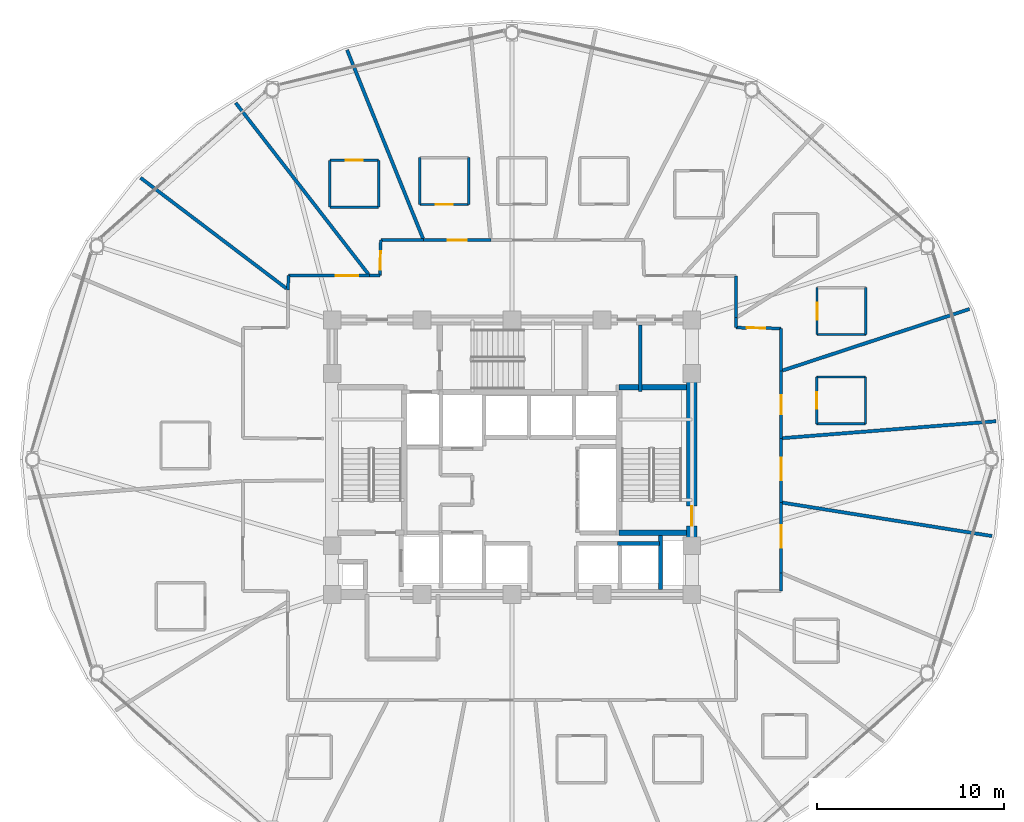
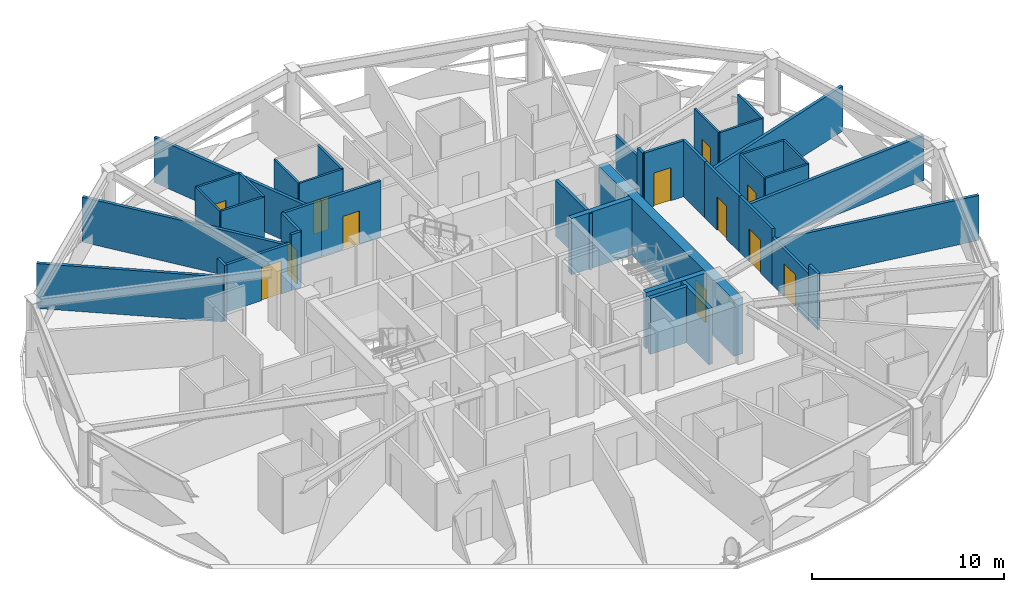
# One storey, part 27 of 32: 40 walls, 12 doors, 12 openings.
"""IFC4 building model written with IfcOpenShell, lengths in metres."""

import ifcopenshell
import ifcopenshell.guid

model = None  # the IFC model being written
_history = None  # IfcOwnerHistory: only IFC2X3 demands one
_inside = {}  # id of a spatial element -> (the spatial element, [elements in it])
_under = {}  # id of a project, library or spatial element -> (it, [spatial elements below it])
_declared = {}  # id of a project -> (the project, [libraries it declares])
_typed = {}  # id of a type object -> (the type object, [elements of that type])
_made_of = {}  # id of a material, layer set ... -> (it, [elements and type objects made of it])


def new_model(schema):
    """Start an empty IFC model of exactly this schema.

    Asked for "IFC4X3", IfcOpenShell would pick the latest addendum, in which some entities
    have other attributes; the version numbers below select the first issue.
    IFC2X3 requires an IfcOwnerHistory on every rooted entity: one is made here for all.
    """
    global model, _history
    if schema == "IFC4X3":
        model = ifcopenshell.file(schema_version=(4, 3, 0, 0))
    else:
        model = ifcopenshell.file(schema=schema)
    _inside.clear()
    _under.clear()
    _declared.clear()
    _typed.clear()
    _made_of.clear()
    _history = None
    if model.schema == "IFC2X3":
        org = make("IfcOrganization", Name="unknown")
        user = make(
            "IfcPersonAndOrganization",
            ThePerson=make("IfcPerson", FamilyName="unknown"),
            TheOrganization=org,
        )
        app = make(
            "IfcApplication",
            ApplicationDeveloper=org,
            Version="unknown",
            ApplicationFullName="unknown",
            ApplicationIdentifier="unknown",
        )
        _history = make(
            "IfcOwnerHistory",
            OwningUser=user,
            OwningApplication=app,
            ChangeAction="ADDED",
            CreationDate=0,
        )
    return model


def make(cls, **values):
    """One entity of the class cls with the attributes given. An attribute that is None is left unset."""
    return model.create_entity(
        cls, **{name: value for name, value in values.items() if value is not None}
    )


def rooted(cls, **values):
    """An entity with a GlobalId (a new one), such as an element, a storey or a relation."""
    return make(cls, GlobalId=ifcopenshell.guid.new(), OwnerHistory=_history, **values)


def si_unit(unit_type, name, prefix=None):
    """IfcSIUnit, for example si_unit("LENGTHUNIT", "METRE", prefix="MILLI")."""
    return make("IfcSIUnit", UnitType=unit_type, Prefix=prefix, Name=name)


def assignment(units):
    """IfcUnitAssignment: the units of a project."""
    return None if units is None else make("IfcUnitAssignment", Units=units)


def point(xyz):
    """IfcCartesianPoint."""
    return None if xyz is None else make("IfcCartesianPoint", Coordinates=xyz)


def direction(xyz):
    """IfcDirection."""
    return None if xyz is None else make("IfcDirection", DirectionRatios=xyz)


def frame(location, z_axis=None, x_axis=None):
    """IfcAxis2Placement3D, a coordinate frame: its origin and axes. An axis left out is left unset."""
    return make(
        "IfcAxis2Placement3D",
        Location=point(location),
        Axis=direction(z_axis),
        RefDirection=direction(x_axis),
    )


def frame_2d(location, x_axis=None):
    """IfcAxis2Placement2D, a coordinate frame in the plane: its origin and x axis."""
    return make(
        "IfcAxis2Placement2D", Location=point(location), RefDirection=direction(x_axis)
    )


def origin():
    """The frame at (0, 0, 0) with its axes left unset."""
    return frame((0.0, 0.0, 0.0))


def place(relative_to, where):
    """IfcLocalPlacement: puts the frame where relative to a parent placement (None: the world)."""
    return make(
        "IfcLocalPlacement", PlacementRelTo=relative_to, RelativePlacement=where
    )


def context(
    kind, dimensions, precision=None, world=None, true_north=None, identifier=None
):
    """IfcGeometricRepresentationContext, for example the 3D "Model" context."""
    return make(
        "IfcGeometricRepresentationContext",
        ContextIdentifier=identifier,
        ContextType=kind,
        CoordinateSpaceDimension=dimensions,
        Precision=precision,
        WorldCoordinateSystem=world,
        TrueNorth=true_north,
    )


def subcontext(parent, identifier, kind, view, scale=None):
    """IfcGeometricRepresentationSubContext, for example "Body" below "Model"."""
    return make(
        "IfcGeometricRepresentationSubContext",
        ContextIdentifier=identifier,
        ContextType=kind,
        ParentContext=parent,
        TargetScale=scale,
        TargetView=view,
    )


def project(units=None, contexts=None):
    """IfcProject with its units and contexts."""
    return rooted(
        "IfcProject",
        Name="project",
        RepresentationContexts=contexts,
        UnitsInContext=assignment(units),
    )


def spatial(cls, under=None, at=None, **own):
    """A site, building, storey or space (cls), placed at a placement, below another one or the project."""
    s = rooted(cls, ObjectPlacement=at, **own)
    if under is not None:
        _under.setdefault(under.id(), (under, []))[1].append(s)
    return s


def profile(cls, at=None, kind="AREA", **sizes):
    """A parametric profile (cls). Its sizes go by their IFC names, for example OverallWidth=200.0."""
    return make(cls, ProfileType=kind, Position=at, **sizes)


def rectangle(**sizes):
    """IfcRectangleProfileDef."""
    return profile("IfcRectangleProfileDef", **sizes)


def extrude(swept, where, along, depth):
    """IfcExtrudedAreaSolid: the profile swept, set in the frame where, extruded along a direction by depth."""
    return make(
        "IfcExtrudedAreaSolid",
        SweptArea=swept,
        Position=where,
        ExtrudedDirection=direction(along),
        Depth=depth,
    )


def shape(context_of_items, identifier, shape_type, items):
    """IfcShapeRepresentation: the items that make up one representation, for example the "Body"."""
    return make(
        "IfcShapeRepresentation",
        ContextOfItems=context_of_items,
        RepresentationIdentifier=identifier,
        RepresentationType=shape_type,
        Items=items,
    )


def material(Name=None, Category=None):
    """IfcMaterial."""
    return make("IfcMaterial", Name=Name, Category=Category)


def layer(
    of_material, thickness, ventilated=None, Name=None, Category=None, Priority=None
):
    """IfcMaterialLayer: one layer of a wall or slab, of a material (None: an air gap)."""
    return make(
        "IfcMaterialLayer",
        Material=of_material,
        LayerThickness=thickness,
        IsVentilated=ventilated,
        Name=Name,
        Category=Category,
        Priority=Priority,
    )


def layer_set(layers, Name=None):
    """IfcMaterialLayerSet."""
    return make("IfcMaterialLayerSet", MaterialLayers=layers, LayerSetName=Name)


def made_of(thing, what):
    """Note that an element or type object is made of a material, layer set ...; save() writes the relation."""
    if what is not None:
        _made_of.setdefault(what.id(), (what, []))[1].append(thing)
    return thing


def type_object(cls, material=None, **own):
    """A type object (cls), such as IfcWallType, which elements share."""
    return made_of(rooted(cls, **own), material)


def element(
    cls,
    number,
    at=None,
    inside=None,
    cuts=None,
    type_object=None,
    material=None,
    context=None,
    identifier="Body",
    shape_type=None,
    held_by="IfcProductDefinitionShape",
    body=None,
    shapes=None,
    **own,
):
    """One element of the class cls, such as IfcWall. Its Tag is "e" and its number.

    at: its placement. inside: the storey or other place that contains it. cuts: it is an
    opening in that element (IfcRelVoidsElement). A single representation is given by context,
    identifier, shape_type and body (its items); several are given by shapes. held_by: the class
    of the entity that holds the representations. save() writes the other relations.
    """
    e = rooted(cls, Tag="e%d" % number, ObjectPlacement=at, **own)
    if body is not None:
        shapes = [shape(context, identifier, shape_type, body)]
    if shapes is not None:
        e.Representation = make(held_by, Representations=shapes)
    if inside is not None:
        _inside.setdefault(inside.id(), (inside, []))[1].append(e)
    if cuts is not None:
        rooted(
            "IfcRelVoidsElement", RelatingBuildingElement=cuts, RelatedOpeningElement=e
        )
    if type_object is not None:
        _typed.setdefault(type_object.id(), (type_object, []))[1].append(e)
    return made_of(e, material)


def fill(opening, filler):
    """IfcRelFillsElement: the door or window that sits in an opening."""
    return rooted(
        "IfcRelFillsElement",
        RelatingOpeningElement=opening,
        RelatedBuildingElement=filler,
    )


def aggregate(whole, parts):
    """IfcRelAggregates: a whole, such as a stair, and the parts it consists of."""
    return rooted("IfcRelAggregates", RelatingObject=whole, RelatedObjects=parts)


def save(model, path):
    """Write the relations noted so far, then the file.

    IfcRelAggregates (storeys below a building ...), IfcRelContainedInSpatialStructure (elements
    in a storey), IfcRelDefinesByType, IfcRelAssociatesMaterial and IfcRelDeclares: one each for
    every whole, place, type object, material and project.
    """
    for whole, parts in _under.values():
        aggregate(whole, parts)
    for where, things in _inside.values():
        rooted(
            "IfcRelContainedInSpatialStructure",
            RelatedElements=things,
            RelatingStructure=where,
        )
    for kind, things in _typed.values():
        rooted("IfcRelDefinesByType", RelatedObjects=things, RelatingType=kind)
    for what, things in _made_of.values():
        rooted("IfcRelAssociatesMaterial", RelatedObjects=things, RelatingMaterial=what)
    for by, libraries in _declared.values():
        rooted("IfcRelDeclares", RelatingContext=by, RelatedDefinitions=libraries)
    model.write(path)


model = new_model("IFC4")

# Units and contexts
model_context = context("Model", 3, precision=1e-05, world=origin(), true_north=direction((0.0, 1.0)))
body_context = subcontext(model_context, "Body", "Model", "MODEL_VIEW")
ifc_project = project(units=[si_unit("LENGTHUNIT", "METRE"), si_unit("AREAUNIT", "SQUARE_METRE"), si_unit("VOLUMEUNIT", "CUBIC_METRE"), si_unit("PLANEANGLEUNIT", "RADIAN"), si_unit("MASSUNIT", "GRAM", prefix="KILO")], contexts=[model_context])

# Site, building, storey
site_placement = place(None, origin())
site = spatial("IfcSite", under=ifc_project, at=site_placement, CompositionType="ELEMENT")
building_placement = place(site_placement, origin())
building = spatial("IfcBuilding", under=site, at=building_placement, Name="Vantalir Tower", CompositionType="ELEMENT")
storey_placement = place(building_placement, frame((0.0, 0.0, 108.449951171875)))
storey = spatial("IfcBuildingStorey", under=building, at=storey_placement, Name="L26", CompositionType="ELEMENT", Elevation=108.449951171875)

# Walls
ifc_material_1 = material(Name="Moisture-resistant en-suite partition", Category="gypsum")
ifc_layer_1 = layer(ifc_material_1, 0.125)
ifc_layer_set_1 = layer_set([ifc_layer_1], Name="Moisture-resistant en-suite partition")
wall_type_1 = type_object("IfcWallType", Name="WL-BATH-125", PredefinedType="PARTITIONING", material=ifc_layer_set_1)
for number, where, z_axis, x_axis, name in (
    (1, (47.76611328125, 26.903076171875, 0.0), (0.0, 0.0, 1.0), (1.0, 0.0, 0.0), "L26 En-suite 01 South Wall"),
    (2, (47.76611328125, 29.403076171875, 0.0), (0.0, 0.0, 1.0), (1.0, 0.0, 0.0), "L26 En-suite 01 North Wall"),
):
    element("IfcWall", number, at=place(storey_placement, frame(where, z_axis=z_axis, x_axis=x_axis)), inside=storey, type_object=wall_type_1, Name=name, PredefinedType="PARTITIONING", context=body_context, shape_type="SweptSolid", body=[
        extrude(rectangle(XDim=2.599853515625, YDim=0.125, at=frame_2d((1.2998046875, 0.0))), origin(), (0.0, 0.0, 1.0), 3.550048828125),
    ])

# Wall, opening, door
wall_1_placement = place(storey_placement, frame((47.76611328125, 26.903076171875, 0.0), z_axis=(0.0, 0.0, 1.0), x_axis=(0.0, 1.0, 0.0)))
wall_1 = element("IfcWall", 3, at=wall_1_placement, inside=storey, type_object=wall_type_1, Name="L26 En-suite 01 West Wall", PredefinedType="PARTITIONING", context=body_context, shape_type="SweptSolid", body=[
    extrude(rectangle(XDim=2.5, YDim=0.125, at=frame_2d((1.25, 0.0))), origin(), (0.0, 0.0, 1.0), 3.550048828125),
])
opening_1_placement = place(wall_1_placement, frame((0.800048828125, 0.0, 0.0)))
opening_1 = element("IfcOpeningElement", 4, at=opening_1_placement, cuts=wall_1, Name="Opening D-WC", PredefinedType="OPENING", context=body_context, shape_type="SweptSolid", body=[
    extrude(rectangle(XDim=0.89990234375, YDim=2.10009765625, at=frame_2d((0.449951171875, 1.050048828125))), frame((0.0, 0.072509765625, 0.0), z_axis=(0.0, -1.0, 0.0), x_axis=(1.0, 0.0, 0.0)), (0.0, 0.0, 1.0), 0.14501953125),
])
ifc_material_2 = material(Name="Moisture-resistant hardwood door", Category="wood")
door_type_1 = type_object("IfcDoorType", Name="DR-ENSUITE-900", OperationType="NOTDEFINED", PredefinedType="DOOR", material=ifc_material_2)
door_1_placement = place(opening_1_placement, frame((0.89990234375, 0.0, 0.0), z_axis=(0.0, 0.0, 1.0), x_axis=(-1.0, 0.0, 0.0)))
door_1 = element("IfcDoor", 5, at=door_1_placement, inside=storey, type_object=door_type_1, Name="L26 En-suite 01 Door", OperationType="SINGLE_SWING_RIGHT", OverallHeight=2.10009765625, OverallWidth=0.89990234375, PredefinedType="DOOR", context=body_context, shape_type="SweptSolid", body=[
    extrude(rectangle(XDim=0.89990234375, YDim=2.10009765625, at=frame_2d((0.449951171875, 1.050048828125))), frame((0.0, 0.02490234375, 0.0), z_axis=(0.0, -1.0, 0.0), x_axis=(1.0, 0.0, 0.0)), (0.0, 0.0, 1.0), 0.050048828125),
])
fill(opening_1, door_1)

# Walls
wall_2_placement = place(storey_placement, frame((50.365966796875, 26.903076171875, 0.0), z_axis=(0.0, 0.0, 1.0), x_axis=(0.0, 1.0, 0.0)))
element("IfcWall", 6, at=wall_2_placement, inside=storey, type_object=wall_type_1, Name="L26 En-suite 01 East Wall", PredefinedType="PARTITIONING", context=body_context, shape_type="SweptSolid", body=[
    extrude(rectangle(XDim=2.5, YDim=0.125, at=frame_2d((1.25, 0.0))), origin(), (0.0, 0.0, 1.0), 3.550048828125),
])
wall_3_placement = place(storey_placement, frame((47.784912109375, 31.673095703125, 0.0), z_axis=(0.0, 0.0, 1.0), x_axis=(1.0, 0.0, 0.0)))
element("IfcWall", 7, at=wall_3_placement, inside=storey, type_object=wall_type_1, Name="L26 En-suite 02 South Wall", PredefinedType="PARTITIONING", context=body_context, shape_type="SweptSolid", body=[
    extrude(rectangle(XDim=2.60009765625, YDim=0.125, at=frame_2d((1.300048828125, 0.0))), origin(), (0.0, 0.0, 1.0), 3.550048828125),
])

# Wall, opening, door
wall_4_placement = place(storey_placement, frame((47.784912109375, 31.673095703125, 0.0), z_axis=(0.0, 0.0, 1.0), x_axis=(0.0, 1.0, 0.0)))
wall_4 = element("IfcWall", 8, at=wall_4_placement, inside=storey, type_object=wall_type_1, Name="L26 En-suite 02 West Wall", PredefinedType="PARTITIONING", context=body_context, shape_type="SweptSolid", body=[
    extrude(rectangle(XDim=2.5, YDim=0.125, at=frame_2d((1.25, 0.0))), origin(), (0.0, 0.0, 1.0), 3.550048828125),
])
opening_2_placement = place(wall_4_placement, frame((0.800048828125, 0.0, 0.0)))
opening_2 = element("IfcOpeningElement", 9, at=opening_2_placement, cuts=wall_4, Name="Opening D-WC", PredefinedType="OPENING", context=body_context, shape_type="SweptSolid", body=[
    extrude(rectangle(XDim=0.89990234375, YDim=2.10009765625, at=frame_2d((0.449951171875, 1.050048828125))), frame((0.0, 0.072509765625, 0.0), z_axis=(0.0, -1.0, 0.0), x_axis=(1.0, 0.0, 0.0)), (0.0, 0.0, 1.0), 0.14501953125),
])
door_2_placement = place(opening_2_placement, frame((0.89990234375, 0.0, 0.0), z_axis=(0.0, 0.0, 1.0), x_axis=(-1.0, 0.0, 0.0)))
door_2 = element("IfcDoor", 10, at=door_2_placement, inside=storey, type_object=door_type_1, Name="L26 En-suite 02 Door", OperationType="SINGLE_SWING_LEFT", OverallHeight=2.10009765625, OverallWidth=0.89990234375, PredefinedType="DOOR", context=body_context, shape_type="SweptSolid", body=[
    extrude(rectangle(XDim=0.89990234375, YDim=2.10009765625, at=frame_2d((0.449951171875, 1.050048828125))), frame((0.0, 0.02490234375, 0.0), z_axis=(0.0, -1.0, 0.0), x_axis=(1.0, 0.0, 0.0)), (0.0, 0.0, 1.0), 0.050048828125),
])
fill(opening_2, door_2)

# Wall
wall_5_placement = place(storey_placement, frame((50.385009765625, 31.673095703125, 0.0), z_axis=(0.0, 0.0, 1.0), x_axis=(0.0, 1.0, 0.0)))
element("IfcWall", 11, at=wall_5_placement, inside=storey, type_object=wall_type_1, Name="L26 En-suite 02 East Wall", PredefinedType="PARTITIONING", context=body_context, shape_type="SweptSolid", body=[
    extrude(rectangle(XDim=2.5, YDim=0.125, at=frame_2d((1.25, 0.0))), origin(), (0.0, 0.0, 1.0), 3.550048828125),
])

# Wall, opening, door
wall_6_placement = place(storey_placement, frame((26.583984375, 38.614990234375, 0.0), z_axis=(0.0, 0.0, 1.0), x_axis=(1.0, 0.0, 0.0)))
wall_6 = element("IfcWall", 12, at=wall_6_placement, inside=storey, type_object=wall_type_1, Name="L26 En-suite 07 South Wall", PredefinedType="PARTITIONING", context=body_context, shape_type="SweptSolid", body=[
    extrude(rectangle(XDim=2.60009765625, YDim=0.125, at=frame_2d((1.300048828125, 0.0))), origin(), (0.0, 0.0, 1.0), 3.550048828125),
])
opening_3_placement = place(wall_6_placement, frame((0.85009765625, 0.0, 0.0)))
opening_3 = element("IfcOpeningElement", 13, at=opening_3_placement, cuts=wall_6, Name="Opening D-WC", PredefinedType="OPENING", context=body_context, shape_type="SweptSolid", body=[
    extrude(rectangle(XDim=0.89990234375, YDim=2.10009765625, at=frame_2d((0.449951171875, 1.050048828125))), frame((0.0, 0.072509765625, 0.0), z_axis=(0.0, -1.0, 0.0), x_axis=(1.0, 0.0, 0.0)), (0.0, 0.0, 1.0), 0.14501953125),
])
door_3_placement = place(opening_3_placement, origin())
door_3 = element("IfcDoor", 14, at=door_3_placement, inside=storey, type_object=door_type_1, Name="L26 En-suite 07 Door", OperationType="SINGLE_SWING_RIGHT", OverallHeight=2.10009765625, OverallWidth=0.89990234375, PredefinedType="DOOR", context=body_context, shape_type="SweptSolid", body=[
    extrude(rectangle(XDim=0.89990234375, YDim=2.10009765625, at=frame_2d((0.449951171875, 1.050048828125))), frame((0.0, 0.02490234375, 0.0), z_axis=(0.0, -1.0, 0.0), x_axis=(1.0, 0.0, 0.0)), (0.0, 0.0, 1.0), 0.050048828125),
])
fill(opening_3, door_3)

# Walls
for number, where, z_axis, x_axis, name in (
    (15, (26.583984375, 38.614990234375, 0.0), (0.0, 0.0, 1.0), (0.0, 1.0, 0.0), "L26 En-suite 07 West Wall"),
    (16, (29.18408203125, 38.614990234375, 0.0), (0.0, 0.0, 1.0), (0.0, 1.0, 0.0), "L26 En-suite 07 East Wall"),
):
    element("IfcWall", number, at=place(storey_placement, frame(where, z_axis=z_axis, x_axis=x_axis)), inside=storey, type_object=wall_type_1, Name=name, PredefinedType="PARTITIONING", context=body_context, shape_type="SweptSolid", body=[
        extrude(rectangle(XDim=2.5, YDim=0.125, at=frame_2d((1.25, 0.0))), origin(), (0.0, 0.0, 1.0), 3.550048828125),
    ])
wall_7_placement = place(storey_placement, frame((21.779052734375, 38.469970703125, 0.0), z_axis=(0.0, 0.0, 1.0), x_axis=(1.0, 0.0, 0.0)))
element("IfcWall", 17, at=wall_7_placement, inside=storey, type_object=wall_type_1, Name="L26 En-suite 08 South Wall", PredefinedType="PARTITIONING", context=body_context, shape_type="SweptSolid", body=[
    extrude(rectangle(XDim=2.599853515625, YDim=0.125, at=frame_2d((1.2998046875, 0.0))), origin(), (0.0, 0.0, 1.0), 3.550048828125),
])

# Wall, opening, door
wall_8_placement = place(storey_placement, frame((21.779052734375, 40.969970703125, 0.0), z_axis=(0.0, 0.0, 1.0), x_axis=(1.0, 0.0, 0.0)))
wall_8 = element("IfcWall", 18, at=wall_8_placement, inside=storey, type_object=wall_type_1, Name="L26 En-suite 08 North Wall", PredefinedType="PARTITIONING", context=body_context, shape_type="SweptSolid", body=[
    extrude(rectangle(XDim=2.599853515625, YDim=0.125, at=frame_2d((1.2998046875, 0.0))), origin(), (0.0, 0.0, 1.0), 3.550048828125),
])
opening_4_placement = place(wall_8_placement, frame((0.85009765625, 0.0, 0.0)))
opening_4 = element("IfcOpeningElement", 19, at=opening_4_placement, cuts=wall_8, Name="Opening D-WC", PredefinedType="OPENING", context=body_context, shape_type="SweptSolid", body=[
    extrude(rectangle(XDim=0.89990234375, YDim=2.10009765625, at=frame_2d((0.449951171875, 1.050048828125))), frame((0.0, 0.072509765625, 0.0), z_axis=(0.0, -1.0, 0.0), x_axis=(1.0, 0.0, 0.0)), (0.0, 0.0, 1.0), 0.14501953125),
])
door_4_placement = place(opening_4_placement, frame((0.89990234375, 0.0, 0.0), z_axis=(0.0, 0.0, 1.0), x_axis=(-1.0, 0.0, 0.0)))
door_4 = element("IfcDoor", 20, at=door_4_placement, inside=storey, type_object=door_type_1, Name="L26 En-suite 08 Door", OperationType="SINGLE_SWING_LEFT", OverallHeight=2.10009765625, OverallWidth=0.89990234375, PredefinedType="DOOR", context=body_context, shape_type="SweptSolid", body=[
    extrude(rectangle(XDim=0.89990234375, YDim=2.10009765625, at=frame_2d((0.449951171875, 1.050048828125))), frame((0.0, 0.02490234375, 0.0), z_axis=(0.0, -1.0, 0.0), x_axis=(1.0, 0.0, 0.0)), (0.0, 0.0, 1.0), 0.050048828125),
])
fill(opening_4, door_4)

# Walls
for number, where, z_axis, x_axis, name in (
    (21, (21.779052734375, 38.469970703125, 0.0), (0.0, 0.0, 1.0), (0.0, 1.0, 0.0), "L26 En-suite 08 West Wall"),
    (22, (24.37890625, 38.469970703125, 0.0), (0.0, 0.0, 1.0), (0.0, 1.0, 0.0), "L26 En-suite 08 East Wall"),
):
    element("IfcWall", number, at=place(storey_placement, frame(where, z_axis=z_axis, x_axis=x_axis)), inside=storey, type_object=wall_type_1, Name=name, PredefinedType="PARTITIONING", context=body_context, shape_type="SweptSolid", body=[
        extrude(rectangle(XDim=2.5, YDim=0.125, at=frame_2d((1.25, 0.0))), origin(), (0.0, 0.0, 1.0), 3.550048828125),
    ])

# Wall, opening, door
ifc_material_3 = material(Name="Concrete C60/75", Category="concrete")
ifc_layer_2 = layer(ifc_material_3, 0.550048828125)
ifc_layer_set_2 = layer_set([ifc_layer_2], Name="Concrete C60/75")
wall_type_2 = type_object("IfcWallType", Name="WL-CORE-550", PredefinedType="SHEAR", material=ifc_layer_set_2)
wall_9_placement = place(storey_placement, frame((41.10009765625, 18.074951171875, 0.0), z_axis=(0.0, 0.0, 1.0), x_axis=(0.0, 1.0, 0.0)))
wall_9 = element("IfcWall", 23, at=wall_9_placement, inside=storey, type_object=wall_type_2, Name="L26 Core Shear Wall East", PredefinedType="SHEAR", context=body_context, shape_type="SweptSolid", body=[
    extrude(rectangle(XDim=14.10009765625, YDim=0.550048828125, at=frame_2d((7.050048828125, 0.0))), origin(), (0.0, 0.0, 1.0), 3.570068359375),
])
opening_5_placement = place(wall_9_placement, frame((3.385009765625, 0.0, 0.0)))
opening_5 = element("IfcOpeningElement", 24, at=opening_5_placement, cuts=wall_9, Name="Opening D-ST", PredefinedType="OPENING", context=body_context, shape_type="SweptSolid", body=[
    extrude(rectangle(XDim=1.050048828125, YDim=2.10009765625, at=frame_2d((0.52490234375, 1.050048828125))), frame((0.0, 0.284912109375, 0.0), z_axis=(0.0, -1.0, 0.0), x_axis=(1.0, 0.0, 0.0)), (0.0, 0.0, 1.0), 0.570068359375),
])
ifc_material_4 = material(Name="Fire-rated steel door leaf", Category="steel")
door_type_2 = type_object("IfcDoorType", Name="DR-FIRE-STAIR-1050", OperationType="NOTDEFINED", PredefinedType="DOOR", material=ifc_material_4)
door_5_placement = place(opening_5_placement, origin())
door_5 = element("IfcDoor", 25, at=door_5_placement, inside=storey, type_object=door_type_2, Name="L26 Exit Stair ST2 Fire Door", OperationType="SINGLE_SWING_LEFT", OverallHeight=2.10009765625, OverallWidth=1.050048828125, PredefinedType="DOOR", context=body_context, shape_type="SweptSolid", body=[
    extrude(rectangle(XDim=1.050048828125, YDim=2.10009765625, at=frame_2d((0.52490234375, 1.050048828125))), frame((0.0, 0.02490234375, 0.0), z_axis=(0.0, -1.0, 0.0), x_axis=(1.0, 0.0, 0.0)), (0.0, 0.0, 1.0), 0.050048828125),
])
fill(opening_5, door_5)

# Wall
ifc_material_5 = material(Name="Fire-rated hotel corridor acoustic partition", Category="gypsum")
ifc_layer_3 = layer(ifc_material_5, 0.159912109375)
ifc_layer_set_3 = layer_set([ifc_layer_3], Name="Fire-rated hotel corridor acoustic partition")
wall_type_3 = type_object("IfcWallType", Name="WL-CORR-160", PredefinedType="PARTITIONING", material=ifc_layer_set_3)
wall_10_placement = place(storey_placement, frame((19.552978515625, 34.06201171875, 0.0), z_axis=(0.0, 0.0, 1.0), x_axis=(0.009439683565, 0.999955445195, 0.0)))
element("IfcWall", 26, at=wall_10_placement, inside=storey, type_object=wall_type_3, Name="L26 Corridor Partition 06", PredefinedType="PARTITIONING", context=body_context, shape_type="SweptSolid", body=[
    extrude(rectangle(XDim=0.75, YDim=0.159912109375, at=frame_2d((0.375, 0.0))), origin(), (0.0, 0.0, 1.0), 3.550048828125),
])

# Wall, opening, door
wall_11_placement = place(storey_placement, frame((19.56005859375, 34.81201171875, 0.0), z_axis=(0.0, 0.0, 1.0), x_axis=(0.999999771834, 0.000675523377, 0.0)))
wall_11 = element("IfcWall", 27, at=wall_11_placement, inside=storey, type_object=wall_type_3, Name="L26 Corridor Partition 07", PredefinedType="PARTITIONING", context=body_context, shape_type="SweptSolid", body=[
    extrude(rectangle(XDim=4.3369140625, YDim=0.159912109375, at=frame_2d((2.16845703125, 0.0))), origin(), (0.0, 0.0, 1.0), 3.006103515625),
])
opening_6_placement = place(wall_11_placement, frame((2.531982421875, 0.0, 0.0)))
opening_6 = element("IfcOpeningElement", 28, at=opening_6_placement, cuts=wall_11, Name="Opening D-STE", PredefinedType="OPENING", context=body_context, shape_type="SweptSolid", body=[
    extrude(rectangle(XDim=1.199951171875, YDim=2.10009765625, at=frame_2d((0.60009765625, 1.050048828125))), frame((0.0, 0.08984375, 0.0), z_axis=(0.0, -1.0, 0.0), x_axis=(1.0, 0.0, 0.0)), (0.0, 0.0, 1.0), 0.179931640625),
])
ifc_material_6 = material(Name="Solid-core teak veneer suite entrance door", Category="wood")
door_type_3 = type_object("IfcDoorType", Name="DR-SUITE-ENTRY-1200", OperationType="NOTDEFINED", PredefinedType="DOOR", material=ifc_material_6)
door_6_placement = place(opening_6_placement, origin())
door_6 = element("IfcDoor", 29, at=door_6_placement, inside=storey, type_object=door_type_3, Name="L26 Club Reading Lounge 09 Door", OperationType="SINGLE_SWING_RIGHT", OverallHeight=2.10009765625, OverallWidth=1.199951171875, PredefinedType="DOOR", context=body_context, shape_type="SweptSolid", body=[
    extrude(rectangle(XDim=1.199951171875, YDim=2.10009765625, at=frame_2d((0.60009765625, 1.050048828125))), frame((0.0, 0.02490234375, 0.0), z_axis=(0.0, -1.0, 0.0), x_axis=(1.0, 0.0, 0.0)), (0.0, 0.0, 1.0), 0.050048828125),
])
fill(opening_6, door_6)

# Wall
wall_12_placement = place(storey_placement, frame((23.89697265625, 34.81494140625, 0.0), z_axis=(0.0, 0.0, 1.0), x_axis=(1.0, 0.0, 0.0)))
element("IfcWall", 30, at=wall_12_placement, inside=storey, type_object=wall_type_3, Name="L26 Corridor Partition 08", PredefinedType="PARTITIONING", context=body_context, shape_type="SweptSolid", body=[
    extrude(rectangle(XDim=0.56298828125, YDim=0.159912109375, at=frame_2d((0.281494140625, 0.0))), origin(), (0.0, 0.0, 1.0), 3.550048828125),
])

# Wall, opening, door
wall_13_placement = place(storey_placement, frame((24.4599609375, 34.81494140625, 0.0), z_axis=(0.0, 0.0, 1.0), x_axis=(0.019012366542, 0.999819248624, 0.0)))
wall_13 = element("IfcWall", 31, at=wall_13_placement, inside=storey, type_object=wall_type_3, Name="L26 Corridor Partition 09", PredefinedType="PARTITIONING", context=body_context, shape_type="SweptSolid", body=[
    extrude(rectangle(XDim=1.900390625, YDim=0.159912109375, at=frame_2d((0.9501953125, 0.0))), origin(), (0.0, 0.0, 1.0), 3.550048828125),
])
opening_7_placement = place(wall_13_placement, frame((0.304931640625, 0.0, 0.0)))
opening_7 = element("IfcOpeningElement", 32, at=opening_7_placement, cuts=wall_13, Name="Opening D-GUEST", PredefinedType="OPENING", context=body_context, shape_type="SweptSolid", body=[
    extrude(rectangle(XDim=1.0, YDim=2.10009765625, at=frame_2d((0.5, 1.050048828125))), frame((0.0, 0.08984375, 0.0), z_axis=(0.0, -1.0, 0.0), x_axis=(1.0, 0.0, 0.0)), (0.0, 0.0, 1.0), 0.179931640625),
])
ifc_material_7 = material(Name="Solid-core teak veneer acoustic fire door", Category="wood")
door_type_4 = type_object("IfcDoorType", Name="DR-GUEST-ENTRY-1000", OperationType="NOTDEFINED", PredefinedType="DOOR", material=ifc_material_7)
door_7_placement = place(opening_7_placement, origin())
door_7 = element("IfcDoor", 33, at=door_7_placement, inside=storey, type_object=door_type_4, Name="L26 Twin Queen Hotel Room 08 Door", OperationType="SINGLE_SWING_LEFT", OverallHeight=2.10009765625, OverallWidth=1.0, PredefinedType="DOOR", context=body_context, shape_type="SweptSolid", body=[
    extrude(rectangle(XDim=1.0, YDim=2.10009765625, at=frame_2d((0.5, 1.050048828125))), frame((0.0, 0.02490234375, 0.0), z_axis=(0.0, -1.0, 0.0), x_axis=(1.0, 0.0, 0.0)), (0.0, 0.0, 1.0), 0.050048828125),
])
fill(opening_7, door_7)

# Wall
wall_14_placement = place(storey_placement, frame((24.49609375, 36.715087890625, 0.0), z_axis=(0.0, 0.0, 1.0), x_axis=(1.0, 0.0, 0.0)))
element("IfcWall", 34, at=wall_14_placement, inside=storey, type_object=wall_type_3, Name="L26 Corridor Partition 10", PredefinedType="PARTITIONING", context=body_context, shape_type="SweptSolid", body=[
    extrude(rectangle(XDim=2.286865234375, YDim=0.159912109375, at=frame_2d((1.1435546875, 0.0))), origin(), (0.0, 0.0, 1.0), 3.550048828125),
])

# Wall, opening, door
wall_15_placement = place(storey_placement, frame((26.782958984375, 36.715087890625, 0.0), z_axis=(0.0, 0.0, 1.0), x_axis=(1.0, 0.0, 0.0)))
wall_15 = element("IfcWall", 35, at=wall_15_placement, inside=storey, type_object=wall_type_3, Name="L26 Corridor Partition 11", PredefinedType="PARTITIONING", context=body_context, shape_type="SweptSolid", body=[
    extrude(rectangle(XDim=3.5830078125, YDim=0.159912109375, at=frame_2d((1.79150390625, 0.0))), origin(), (0.0, 0.0, 1.0), 3.550048828125),
])
opening_8_placement = place(wall_15_placement, frame((1.291015625, 0.0, 0.0)))
opening_8 = element("IfcOpeningElement", 36, at=opening_8_placement, cuts=wall_15, Name="Opening D-GUEST", PredefinedType="OPENING", context=body_context, shape_type="SweptSolid", body=[
    extrude(rectangle(XDim=1.0, YDim=2.10009765625, at=frame_2d((0.5, 1.050048828125))), frame((0.0, 0.08984375, 0.0), z_axis=(0.0, -1.0, 0.0), x_axis=(1.0, 0.0, 0.0)), (0.0, 0.0, 1.0), 0.179931640625),
])
door_8_placement = place(opening_8_placement, origin())
door_8 = element("IfcDoor", 37, at=door_8_placement, inside=storey, type_object=door_type_4, Name="L26 Deluxe King Hotel Room 07 Door", OperationType="SINGLE_SWING_RIGHT", OverallHeight=2.10009765625, OverallWidth=1.0, PredefinedType="DOOR", context=body_context, shape_type="SweptSolid", body=[
    extrude(rectangle(XDim=1.0, YDim=2.10009765625, at=frame_2d((0.5, 1.050048828125))), frame((0.0, 0.02490234375, 0.0), z_axis=(0.0, -1.0, 0.0), x_axis=(1.0, 0.0, 0.0)), (0.0, 0.0, 1.0), 0.050048828125),
])
fill(opening_8, door_8)

# Walls
wall_16_placement = place(storey_placement, frame((43.447021484375, 34.80810546875, 0.0), z_axis=(0.0, 0.0, 1.0), x_axis=(0.006657060824, -0.999977841525, 0.0)))
element("IfcWall", 38, at=wall_16_placement, inside=storey, type_object=wall_type_3, Name="L26 Corridor Partition 18", PredefinedType="PARTITIONING", context=body_context, shape_type="SweptSolid", body=[
    extrude(rectangle(XDim=2.237060546875, YDim=0.159912109375, at=frame_2d((1.11865234375, 0.0))), origin(), (0.0, 0.0, 1.0), 3.006103515625),
])
wall_17_placement = place(storey_placement, frame((43.4619140625, 32.571044921875, 0.0), z_axis=(0.0, 0.0, 1.0), x_axis=(0.005976904734, -0.999982138145, 0.0)))
element("IfcWall", 39, at=wall_17_placement, inside=storey, type_object=wall_type_3, Name="L26 Corridor Partition 19", PredefinedType="PARTITIONING", context=body_context, shape_type="SweptSolid", body=[
    extrude(rectangle(XDim=0.531005859375, YDim=0.159912109375, at=frame_2d((0.265625, 0.0))), origin(), (0.0, 0.0, 1.0), 3.550048828125),
])

# Wall, opening, door
wall_18_placement = place(storey_placement, frame((43.465087890625, 32.0400390625, 0.0), z_axis=(0.0, 0.0, 1.0), x_axis=(0.999860857432, -0.016681300165, 0.0)))
wall_18 = element("IfcWall", 40, at=wall_18_placement, inside=storey, type_object=wall_type_3, Name="L26 Corridor Partition 20", PredefinedType="PARTITIONING", context=body_context, shape_type="SweptSolid", body=[
    extrude(rectangle(XDim=2.400146484375, YDim=0.159912109375, at=frame_2d((1.2001953125, 0.0))), origin(), (0.0, 0.0, 1.0), 3.550048828125),
])
opening_9_placement = place(wall_18_placement, frame((0.56494140625, 0.0, 0.0)))
opening_9 = element("IfcOpeningElement", 41, at=opening_9_placement, cuts=wall_18, Name="Opening D-GUEST", PredefinedType="OPENING", context=body_context, shape_type="SweptSolid", body=[
    extrude(rectangle(XDim=1.0, YDim=2.10009765625, at=frame_2d((0.5, 1.050048828125))), frame((0.0, 0.08984375, 0.0), z_axis=(0.0, -1.0, 0.0), x_axis=(1.0, 0.0, 0.0)), (0.0, 0.0, 1.0), 0.179931640625),
])
door_9_placement = place(opening_9_placement, origin())
door_9 = element("IfcDoor", 42, at=door_9_placement, inside=storey, type_object=door_type_4, Name="L26 Deluxe King Hotel Room 02 Door", OperationType="SINGLE_SWING_LEFT", OverallHeight=2.10009765625, OverallWidth=1.0, PredefinedType="DOOR", context=body_context, shape_type="SweptSolid", body=[
    extrude(rectangle(XDim=1.0, YDim=2.10009765625, at=frame_2d((0.5, 1.050048828125))), frame((0.0, 0.02490234375, 0.0), z_axis=(0.0, -1.0, 0.0), x_axis=(1.0, 0.0, 0.0)), (0.0, 0.0, 1.0), 0.050048828125),
])
fill(opening_9, door_9)

# Wall
wall_19_placement = place(storey_placement, frame((45.864990234375, 32.0, 0.0), z_axis=(0.0, 0.0, 1.0), x_axis=(0.0, -1.0, 0.0)))
element("IfcWall", 43, at=wall_19_placement, inside=storey, type_object=wall_type_3, Name="L26 Corridor Partition 21", PredefinedType="PARTITIONING", context=body_context, shape_type="SweptSolid", body=[
    extrude(rectangle(XDim=2.27392578125, YDim=0.159912109375, at=frame_2d((1.136962890625, 0.0))), origin(), (0.0, 0.0, 1.0), 3.550048828125),
])

# Wall, opening, door
wall_20_placement = place(storey_placement, frame((45.864990234375, 29.72607421875, 0.0), z_axis=(0.0, 0.0, 1.0), x_axis=(0.0, -1.0, 0.0)))
wall_20 = element("IfcWall", 44, at=wall_20_placement, inside=storey, type_object=wall_type_3, Name="L26 Corridor Partition 22", PredefinedType="PARTITIONING", context=body_context, shape_type="SweptSolid", body=[
    extrude(rectangle(XDim=3.590087890625, YDim=0.159912109375, at=frame_2d((1.794921875, 0.0))), origin(), (0.0, 0.0, 1.0), 3.550048828125),
])
opening_10_placement = place(wall_20_placement, frame((1.294921875, 0.0, 0.0)))
opening_10 = element("IfcOpeningElement", 45, at=opening_10_placement, cuts=wall_20, Name="Opening D-GUEST", PredefinedType="OPENING", context=body_context, shape_type="SweptSolid", body=[
    extrude(rectangle(XDim=1.0, YDim=2.10009765625, at=frame_2d((0.5, 1.050048828125))), frame((0.0, 0.08984375, 0.0), z_axis=(0.0, -1.0, 0.0), x_axis=(1.0, 0.0, 0.0)), (0.0, 0.0, 1.0), 0.179931640625),
])
door_10_placement = place(opening_10_placement, origin())
door_10 = element("IfcDoor", 46, at=door_10_placement, inside=storey, type_object=door_type_4, Name="L26 Twin Queen Hotel Room 01 Door", OperationType="SINGLE_SWING_RIGHT", OverallHeight=2.10009765625, OverallWidth=1.0, PredefinedType="DOOR", context=body_context, shape_type="SweptSolid", body=[
    extrude(rectangle(XDim=1.0, YDim=2.10009765625, at=frame_2d((0.5, 1.050048828125))), frame((0.0, 0.02490234375, 0.0), z_axis=(0.0, -1.0, 0.0), x_axis=(1.0, 0.0, 0.0)), (0.0, 0.0, 1.0), 0.050048828125),
])
fill(opening_10, door_10)

wall_21_placement = place(storey_placement, frame((45.864990234375, 26.135986328125, 0.0), z_axis=(0.0, 0.0, 1.0), x_axis=(0.0, -1.0, 0.0)))
wall_21 = element("IfcWall", 47, at=wall_21_placement, inside=storey, type_object=wall_type_3, Name="L26 Corridor Partition 23", PredefinedType="PARTITIONING", context=body_context, shape_type="SweptSolid", body=[
    extrude(rectangle(XDim=3.426025390625, YDim=0.159912109375, at=frame_2d((1.712890625, 0.0))), origin(), (0.0, 0.0, 1.0), 3.550048828125),
])
opening_11_placement = place(wall_21_placement, frame((1.0400390625, 0.0, 0.0)))
opening_11 = element("IfcOpeningElement", 48, at=opening_11_placement, cuts=wall_21, Name="Opening D-STE", PredefinedType="OPENING", context=body_context, shape_type="SweptSolid", body=[
    extrude(rectangle(XDim=1.199951171875, YDim=2.10009765625, at=frame_2d((0.60009765625, 1.050048828125))), frame((0.0, 0.08984375, 0.0), z_axis=(0.0, -1.0, 0.0), x_axis=(1.0, 0.0, 0.0)), (0.0, 0.0, 1.0), 0.179931640625),
])
door_11_placement = place(opening_11_placement, origin())
door_11 = element("IfcDoor", 49, at=door_11_placement, inside=storey, type_object=door_type_3, Name="L26 Executive Sky Boardroom 21 Door", OperationType="SINGLE_SWING_RIGHT", OverallHeight=2.10009765625, OverallWidth=1.199951171875, PredefinedType="DOOR", context=body_context, shape_type="SweptSolid", body=[
    extrude(rectangle(XDim=1.199951171875, YDim=2.10009765625, at=frame_2d((0.60009765625, 1.050048828125))), frame((0.0, 0.02490234375, 0.0), z_axis=(0.0, -1.0, 0.0), x_axis=(1.0, 0.0, 0.0)), (0.0, 0.0, 1.0), 0.050048828125),
])
fill(opening_11, door_11)

wall_22_placement = place(storey_placement, frame((45.864990234375, 22.7099609375, 0.0), z_axis=(0.0, 0.0, 1.0), x_axis=(0.0, -1.0, 0.0)))
wall_22 = element("IfcWall", 50, at=wall_22_placement, inside=storey, type_object=wall_type_3, Name="L26 Corridor Partition 24", PredefinedType="PARTITIONING", context=body_context, shape_type="SweptSolid", body=[
    extrude(rectangle(XDim=3.764892578125, YDim=0.159912109375, at=frame_2d((1.88232421875, 0.0))), origin(), (0.0, 0.0, 1.0), 3.006103515625),
])
opening_12_placement = place(wall_22_placement, frame((1.2080078125, 0.0, 0.0)))
opening_12 = element("IfcOpeningElement", 51, at=opening_12_placement, cuts=wall_22, Name="Opening D-STE", PredefinedType="OPENING", context=body_context, shape_type="SweptSolid", body=[
    extrude(rectangle(XDim=1.199951171875, YDim=2.10009765625, at=frame_2d((0.60009765625, 1.050048828125))), frame((0.0, 0.08984375, 0.0), z_axis=(0.0, -1.0, 0.0), x_axis=(1.0, 0.0, 0.0)), (0.0, 0.0, 1.0), 0.179931640625),
])
door_12_placement = place(opening_12_placement, origin())
door_12 = element("IfcDoor", 52, at=door_12_placement, inside=storey, type_object=door_type_3, Name="L26 Club Reading Lounge 20 Door", OperationType="SINGLE_SWING_LEFT", OverallHeight=2.10009765625, OverallWidth=1.199951171875, PredefinedType="DOOR", context=body_context, shape_type="SweptSolid", body=[
    extrude(rectangle(XDim=1.199951171875, YDim=2.10009765625, at=frame_2d((0.60009765625, 1.050048828125))), frame((0.0, 0.02490234375, 0.0), z_axis=(0.0, -1.0, 0.0), x_axis=(1.0, 0.0, 0.0)), (0.0, 0.0, 1.0), 0.050048828125),
])
fill(opening_12, door_12)

# Walls
wall_23_placement = place(storey_placement, frame((45.864990234375, 18.945068359375, 0.0), z_axis=(0.0, 0.0, 1.0), x_axis=(0.0, -1.0, 0.0)))
element("IfcWall", 53, at=wall_23_placement, inside=storey, type_object=wall_type_3, Name="L26 Corridor Partition 25", PredefinedType="PARTITIONING", context=body_context, shape_type="SweptSolid", body=[
    extrude(rectangle(XDim=0.948974609375, YDim=0.159912109375, at=frame_2d((0.474609375, 0.0))), origin(), (0.0, 0.0, 1.0), 3.550048828125),
])
ifc_material_8 = material(Name="Concrete blockwork with fireboard lining", Category="masonry")
ifc_layer_4 = layer(ifc_material_8, 0.219970703125)
ifc_layer_set_4 = layer_set([ifc_layer_4], Name="Concrete blockwork with fireboard lining")
wall_type_4 = type_object("IfcWallType", Name="WL-FFL-220", PredefinedType="PARTITIONING", material=ifc_layer_set_4)
wall_24_placement = place(storey_placement, frame((39.419921875, 18.074951171875, 0.0), z_axis=(0.0, 0.0, 1.0), x_axis=(0.0, 1.0, 0.0)))
element("IfcWall", 54, at=wall_24_placement, inside=storey, type_object=wall_type_4, Name="L26 East MEP Riser Wall W", PredefinedType="PARTITIONING", context=body_context, shape_type="SweptSolid", body=[
    extrude(rectangle(XDim=2.875, YDim=0.219970703125, at=frame_2d((1.4375, 0.0))), origin(), (0.0, 0.0, 1.0), 3.550048828125),
])
wall_25_placement = place(storey_placement, frame((37.139892578125, 20.510009765625, 0.0), z_axis=(0.0, 0.0, 1.0), x_axis=(1.0, 0.0, 0.0)))
element("IfcWall", 55, at=wall_25_placement, inside=storey, type_object=wall_type_4, Name="L26 Lift PL-X2 Shaft Rear Wall", PredefinedType="PARTITIONING", context=body_context, shape_type="SweptSolid", body=[
    extrude(rectangle(XDim=2.239990234375, YDim=0.219970703125, at=frame_2d((1.1201171875, 0.0))), origin(), (0.0, 0.0, 1.0), 3.550048828125),
])
ifc_material_9 = material(Name="Twin-stud acoustic fire-rated gypsum partition", Category="gypsum")
ifc_layer_5 = layer(ifc_material_9, 0.179931640625)
ifc_layer_set_5 = layer_set([ifc_layer_5], Name="Twin-stud acoustic fire-rated gypsum partition")
wall_type_5 = type_object("IfcWallType", Name="WL-GUEST-180", PredefinedType="PARTITIONING", material=ifc_layer_set_5)
wall_26_placement = place(storey_placement, frame((38.340087890625, 28.6201171875, 0.0), z_axis=(0.0, 0.0, 1.0), x_axis=(0.0, 1.0, 0.0)))
element("IfcWall", 56, at=wall_26_placement, inside=storey, type_object=wall_type_5, Name="L26 High-Rise Lift Lobby East Wall", PredefinedType="PARTITIONING", context=body_context, shape_type="SweptSolid", body=[
    extrude(rectangle(XDim=3.554931640625, YDim=0.179931640625, at=frame_2d((1.77734375, 0.0))), origin(), (0.0, 0.0, 1.0), 3.550048828125),
])
wall_27_placement = place(storey_placement, frame((45.93994140625, 26.14208984375, 0.0), z_axis=(0.0, 0.0, 1.0), x_axis=(0.996883758337, 0.078884550861, 0.0)))
element("IfcWall", 57, at=wall_27_placement, inside=storey, type_object=wall_type_5, Name="L26 Radial Suite Partition 01", PredefinedType="PARTITIONING", context=body_context, shape_type="SweptSolid", body=[
    extrude(rectangle(XDim=11.4326171875, YDim=0.179931640625, at=frame_2d((5.71630859375, 0.0))), origin(), (0.0, 0.0, 1.0), 2.85107421875),
])
wall_28_placement = place(storey_placement, frame((45.93994140625, 29.7509765625, 0.0), z_axis=(0.0, 0.0, 1.0), x_axis=(0.949944208781, 0.312419589979, 0.0)))
element("IfcWall", 58, at=wall_28_placement, inside=storey, type_object=wall_type_5, Name="L26 Radial Suite Partition 02", PredefinedType="PARTITIONING", context=body_context, shape_type="SweptSolid", body=[
    extrude(rectangle(XDim=10.508056640625, YDim=0.179931640625, at=frame_2d((5.25390625, 0.0))), origin(), (0.0, 0.0, 1.0), 2.85107421875),
])
wall_29_placement = place(storey_placement, frame((26.7529296875, 36.7900390625, 0.0), z_axis=(0.0, 0.0, 1.0), x_axis=(-0.373572415838, 0.927601018825, 0.0)))
element("IfcWall", 59, at=wall_29_placement, inside=storey, type_object=wall_type_5, Name="L26 Radial Suite Partition 08", PredefinedType="PARTITIONING", context=body_context, shape_type="SweptSolid", body=[
    extrude(rectangle(XDim=10.857177734375, YDim=0.179931640625, at=frame_2d((5.4287109375, 0.0))), origin(), (0.0, 0.0, 1.0), 2.85107421875),
])
wall_30_placement = place(storey_placement, frame((23.839111328125, 34.889892578125, 0.0), z_axis=(0.0, 0.0, 1.0), x_axis=(-0.612421130514, 0.790531693798, 0.0)))
element("IfcWall", 60, at=wall_30_placement, inside=storey, type_object=wall_type_5, Name="L26 Radial Suite Partition 09", PredefinedType="PARTITIONING", context=body_context, shape_type="SweptSolid", body=[
    extrude(rectangle(XDim=11.5771484375, YDim=0.179931640625, at=frame_2d((5.78857421875, 0.0))), origin(), (0.0, 0.0, 1.0), 2.85107421875),
])
wall_31_placement = place(storey_placement, frame((19.4599609375, 34.132080078125, 0.0), z_axis=(0.0, 0.0, 1.0), x_axis=(-0.796739781995, 0.604322529604, 0.0)))
element("IfcWall", 61, at=wall_31_placement, inside=storey, type_object=wall_type_5, Name="L26 Radial Suite Partition 10", PredefinedType="PARTITIONING", context=body_context, shape_type="SweptSolid", body=[
    extrude(rectangle(XDim=9.776123046875, YDim=0.179931640625, at=frame_2d((4.88818359375, 0.0))), origin(), (0.0, 0.0, 1.0), 2.85107421875),
])
wall_32_placement = place(storey_placement, frame((45.93994140625, 22.697998046875, 0.0), z_axis=(0.0, 0.0, 1.0), x_axis=(0.987536339433, -0.157391163347, 0.0)))
element("IfcWall", 62, at=wall_32_placement, inside=storey, type_object=wall_type_5, Name="L26 Radial Suite Partition 21", PredefinedType="PARTITIONING", context=body_context, shape_type="SweptSolid", body=[
    extrude(rectangle(XDim=11.328125, YDim=0.179931640625, at=frame_2d((5.6640625, 0.0))), origin(), (0.0, 0.0, 1.0), 2.85107421875),
])
ifc_material_10 = material(Name="Concrete C50/60", Category="concrete")
ifc_layer_6 = layer(ifc_material_10, 0.300048828125)
ifc_layer_set_6 = layer_set([ifc_layer_6], Name="Concrete C50/60")
wall_type_6 = type_object("IfcWallType", Name="WL-STAIR-300", PredefinedType="SHEAR", material=ifc_layer_set_6)
for number, where, z_axis, x_axis, name in (
    (63, (37.2099609375, 21.10009765625, 0.0), (0.0, 0.0, 1.0), (1.0, 0.0, 0.0), "L26 Stair ST2 South Wall"),
    (64, (37.2099609375, 28.85009765625, 0.0), (0.0, 0.0, 1.0), (1.0, 0.0, 0.0), "L26 Stair ST2 North Wall"),
):
    element("IfcWall", number, at=place(storey_placement, frame(where, z_axis=z_axis, x_axis=x_axis)), inside=storey, type_object=wall_type_6, Name=name, PredefinedType="SHEAR", context=body_context, shape_type="SweptSolid", body=[
        extrude(rectangle(XDim=3.614990234375, YDim=0.300048828125, at=frame_2d((1.8076171875, 0.0))), origin(), (0.0, 0.0, 1.0), 3.570068359375),
    ])

save(model, "model.ifc")
